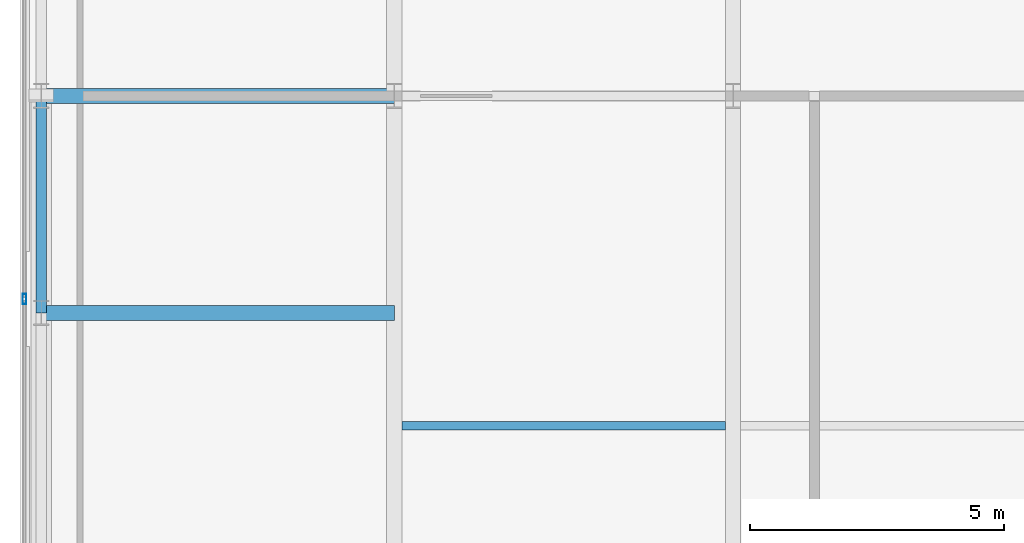
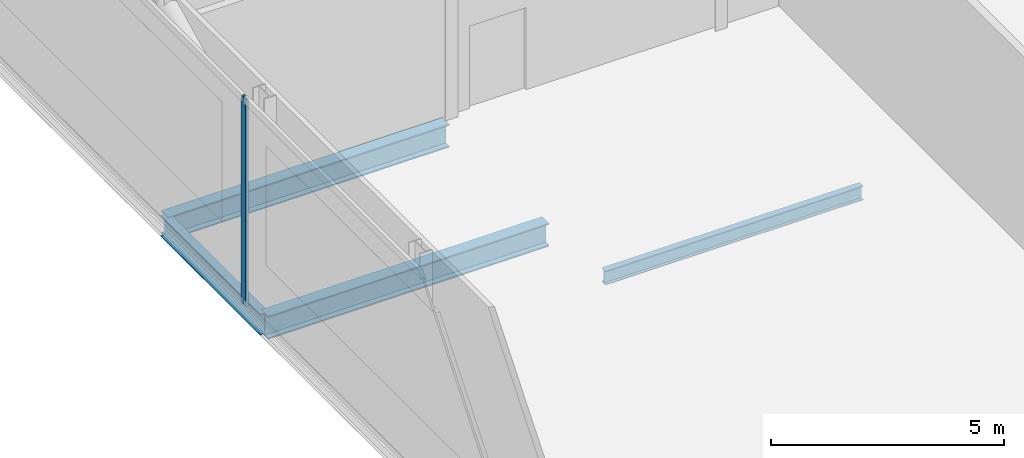
# One storey, part 8 of 22: 4 beams, 1 member, 1 element without a shape of its own.
"""IFC4 building model written with IfcOpenShell, lengths in metres."""

from ifc_helpers import new_model, si_unit, direction, frame, origin, origin_2d, place, context, subcontext, project, spatial, hollow_rectangle, i_section, extrude, material, material_profile, profile_set, type_object, element, aggregate, save


model = new_model("IFC4")

# Units and contexts
model_context = context("Model", 3, precision=1e-05, world=origin(), true_north=direction((0.0, 1.0)))
body_context = subcontext(model_context, "Body", "Model", "MODEL_VIEW")
ifc_project = project(units=[si_unit("LENGTHUNIT", "METRE"), si_unit("AREAUNIT", "SQUARE_METRE"), si_unit("VOLUMEUNIT", "CUBIC_METRE"), si_unit("PLANEANGLEUNIT", "RADIAN"), si_unit("MASSUNIT", "GRAM", prefix="KILO")], contexts=[model_context])

# Site, building, storey
site_placement = place(None, origin())
site = spatial("IfcSite", under=ifc_project, at=site_placement, CompositionType="ELEMENT")
building_placement = place(site_placement, origin())
building = spatial("IfcBuilding", under=site, at=building_placement, Name="Khoronbel Lancet Exchange", CompositionType="ELEMENT")
storey_placement = place(building_placement, frame((0.0, 0.0, 373.0)))
storey = spatial("IfcBuildingStorey", under=building, at=storey_placement, Name="L95", CompositionType="ELEMENT", Elevation=373.0)

# Beams
ifc_material_1 = material(Name="Steel S355", Category="steel")
ifc_material_profile_1 = material_profile(ifc_material_1, i_section(OverallWidth=0.300048828125, OverallDepth=0.60009765625, WebThickness=0.015380859375, FlangeThickness=0.030029296875, at=origin_2d()), Name="HEB 600")
ifc_profile_set_1 = profile_set([ifc_material_profile_1], Name="Steel S355")
beam_type_1 = type_object("IfcBeamType", Name="BM-BG5", PredefinedType="BEAM", material=ifc_profile_set_1)
for number, where, z_axis, x_axis, name in (
    (1, (11.27001953125, 31.425048828125, -0.5), (1.0, 0.0, 0.0), (0.0, 1.0, 0.0), "Level L95 west lens tie girder LG2W"),
    (2, (11.27001953125, 35.699951171875, -0.5), (1.0, 0.0, 0.0), (0.0, 1.0, 0.0), "Level L95 west lens tie girder LG4W"),
):
    element("IfcBeam", number, at=place(storey_placement, frame(where, z_axis=z_axis, x_axis=x_axis)), inside=storey, type_object=beam_type_1, Name=name, PredefinedType="BEAM", context=body_context, shape_type="SweptSolid", body=[
        extrude(i_section(OverallWidth=0.300048828125, OverallDepth=0.60009765625, WebThickness=0.015380859375, FlangeThickness=0.030029296875, at=origin_2d()), origin(), (0.0, 0.0, 1.0), 6.955078125),
    ])
ifc_material_profile_2 = material_profile(ifc_material_1, i_section(OverallWidth=0.169921875, OverallDepth=0.360107421875, WebThickness=0.008056640625, FlangeThickness=0.0126953125, at=origin_2d()), Name="IPE 360")
ifc_profile_set_2 = profile_set([ifc_material_profile_2], Name="Steel S355")
beam_type_2 = type_object("IfcBeamType", Name="BM-BJ6", PredefinedType="JOIST", material=ifc_profile_set_2)
beam_1_placement = place(storey_placement, frame((18.375, 29.199951171875, -0.3798828125), z_axis=(1.0, 0.0, 0.0), x_axis=(0.0, 1.0, 0.0)))
element("IfcBeam", 3, at=beam_1_placement, inside=storey, type_object=beam_type_2, Name="Level L95 secondary composite joist J07", PredefinedType="JOIST", context=body_context, shape_type="SweptSolid", body=[
    extrude(i_section(OverallWidth=0.169921875, OverallDepth=0.360107421875, WebThickness=0.008056640625, FlangeThickness=0.0126953125, at=origin_2d()), origin(), (0.0, 0.0, 1.0), 6.375),
])
ifc_material_profile_3 = material_profile(ifc_material_1, i_section(OverallWidth=0.2099609375, OverallDepth=0.550048828125, WebThickness=0.010986328125, FlangeThickness=0.01708984375, at=origin_2d()), Name="IPE 550")
ifc_profile_set_3 = profile_set([ifc_material_profile_3], Name="Steel S355")
beam_type_3 = type_object("IfcBeamType", Name="BM-BSP3", PredefinedType="SPANDREL", material=ifc_profile_set_3)
beam_2_placement = place(storey_placement, frame((11.27001953125, 35.699951171875, -0.47509765625), z_axis=(0.0, -1.0, 0.0), x_axis=(1.0, 0.0, 0.0)))
element("IfcBeam", 4, at=beam_2_placement, inside=storey, type_object=beam_type_3, Name="Level L95 perimeter spandrel beam SP16", PredefinedType="SPANDREL", context=body_context, shape_type="SweptSolid", body=[
    extrude(i_section(OverallWidth=0.2099609375, OverallDepth=0.550048828125, WebThickness=0.010986328125, FlangeThickness=0.01708984375, at=origin_2d()), origin(), (0.0, 0.0, 1.0), 4.27490234375),
])

# Curtain wall, member
ifc_material_2 = material(Name="Low-E Solar Control Insulating Glass", Category="glass")
curtain_wall_type = type_object("IfcCurtainWallType", Name="CW-6", PredefinedType="NOTDEFINED", material=ifc_material_2)
curtain_wall_placement = place(storey_placement, origin())
curtain_wall = element("IfcCurtainWall", 5, at=curtain_wall_placement, inside=storey, type_object=curtain_wall_type, Name="Unitised curtain wall CW-L95-E03", PredefinedType="NOTDEFINED")
ifc_material_3 = material(Name="Bronze-Anodised Aluminium 6063-T6", Category="aluminium")
ifc_material_profile_4 = material_profile(ifc_material_3, hollow_rectangle(XDim=0.074951171875, YDim=0.199951171875, WallThickness=0.0048828125, at=origin_2d()), Name="ALU MULLION 75x200")
ifc_profile_set_4 = profile_set([ifc_material_profile_4], Name="Bronze-Anodised Aluminium 6063-T6")
member_type = type_object("IfcMemberType", Name="MEM-CWM2", PredefinedType="MULLION", material=ifc_profile_set_4)
member_placement = place(storey_placement, frame((10.93994140625, 31.699951171875, 0.0), z_axis=(0.0, 0.0, 1.0), x_axis=(-1.0, 0.0, 0.0)))
member = element("IfcMember", 6, at=member_placement, type_object=member_type, Name="CW6 mullion 2", PredefinedType="MULLION", context=body_context, shape_type="SweptSolid", body=[
    extrude(hollow_rectangle(XDim=0.074951171875, YDim=0.199951171875, WallThickness=0.0048828125, at=origin_2d()), origin(), (0.0, 0.0, 1.0), 5.39990234375),
])
aggregate(curtain_wall, [member])

save(model, "model.ifc")
